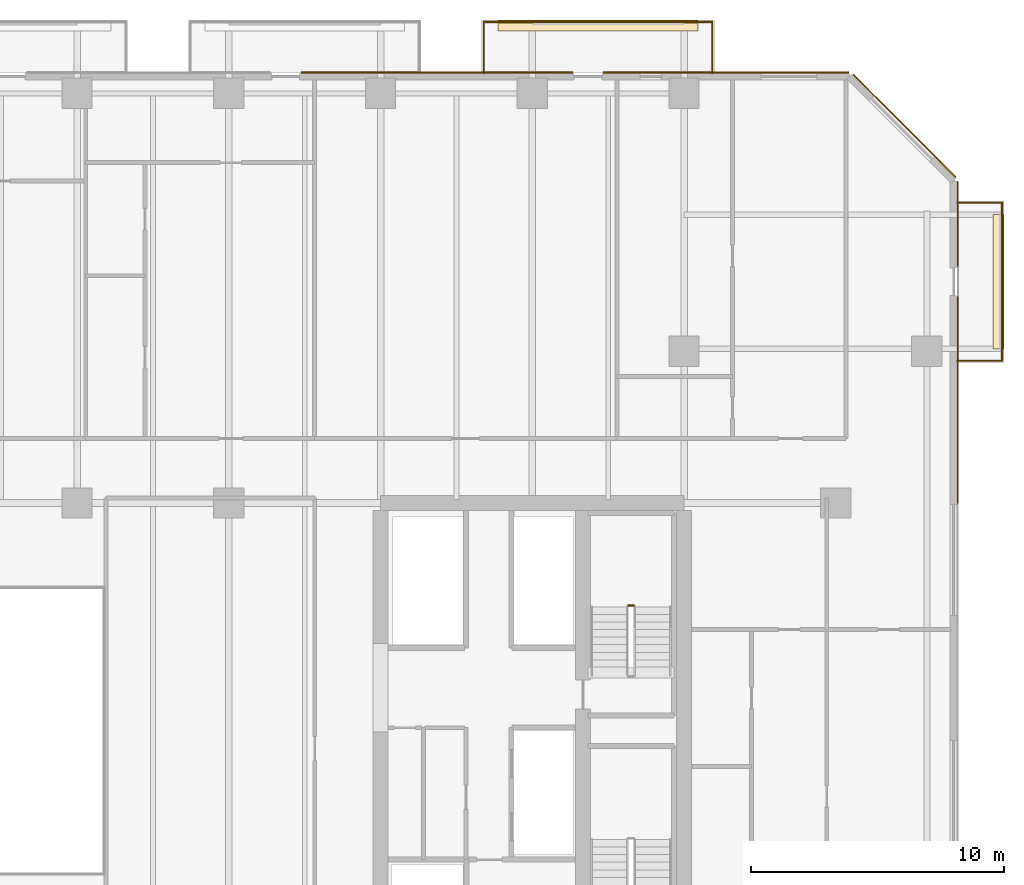
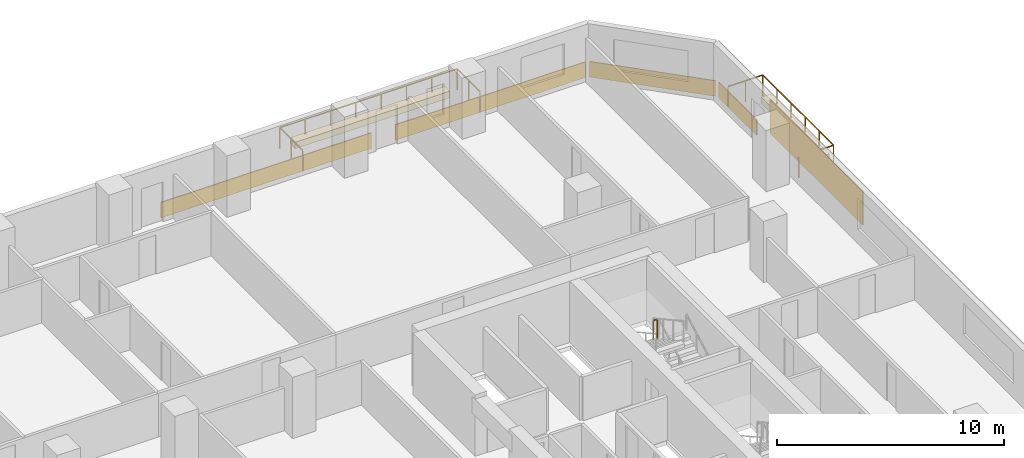
# One storey, part 26 of 26: 7 coverings, 3 railings.
"""IFC4 building model written with IfcOpenShell, lengths in metres."""

import ifcopenshell
import ifcopenshell.guid

model = None  # the IFC model being written
_history = None  # IfcOwnerHistory: only IFC2X3 demands one
_inside = {}  # id of a spatial element -> (the spatial element, [elements in it])
_under = {}  # id of a project, library or spatial element -> (it, [spatial elements below it])
_declared = {}  # id of a project -> (the project, [libraries it declares])
_typed = {}  # id of a type object -> (the type object, [elements of that type])
_made_of = {}  # id of a material, layer set ... -> (it, [elements and type objects made of it])


def new_model(schema):
    """Start an empty IFC model of exactly this schema.

    Asked for "IFC4X3", IfcOpenShell would pick the latest addendum, in which some entities
    have other attributes; the version numbers below select the first issue.
    IFC2X3 requires an IfcOwnerHistory on every rooted entity: one is made here for all.
    """
    global model, _history
    if schema == "IFC4X3":
        model = ifcopenshell.file(schema_version=(4, 3, 0, 0))
    else:
        model = ifcopenshell.file(schema=schema)
    _inside.clear()
    _under.clear()
    _declared.clear()
    _typed.clear()
    _made_of.clear()
    _history = None
    if model.schema == "IFC2X3":
        org = make("IfcOrganization", Name="unknown")
        user = make(
            "IfcPersonAndOrganization",
            ThePerson=make("IfcPerson", FamilyName="unknown"),
            TheOrganization=org,
        )
        app = make(
            "IfcApplication",
            ApplicationDeveloper=org,
            Version="unknown",
            ApplicationFullName="unknown",
            ApplicationIdentifier="unknown",
        )
        _history = make(
            "IfcOwnerHistory",
            OwningUser=user,
            OwningApplication=app,
            ChangeAction="ADDED",
            CreationDate=0,
        )
    return model


def make(cls, **values):
    """One entity of the class cls with the attributes given. An attribute that is None is left unset."""
    return model.create_entity(
        cls, **{name: value for name, value in values.items() if value is not None}
    )


def rooted(cls, **values):
    """An entity with a GlobalId (a new one), such as an element, a storey or a relation."""
    return make(cls, GlobalId=ifcopenshell.guid.new(), OwnerHistory=_history, **values)


def si_unit(unit_type, name, prefix=None):
    """IfcSIUnit, for example si_unit("LENGTHUNIT", "METRE", prefix="MILLI")."""
    return make("IfcSIUnit", UnitType=unit_type, Prefix=prefix, Name=name)


def assignment(units):
    """IfcUnitAssignment: the units of a project."""
    return None if units is None else make("IfcUnitAssignment", Units=units)


def point(xyz):
    """IfcCartesianPoint."""
    return None if xyz is None else make("IfcCartesianPoint", Coordinates=xyz)


def direction(xyz):
    """IfcDirection."""
    return None if xyz is None else make("IfcDirection", DirectionRatios=xyz)


def frame(location, z_axis=None, x_axis=None):
    """IfcAxis2Placement3D, a coordinate frame: its origin and axes. An axis left out is left unset."""
    return make(
        "IfcAxis2Placement3D",
        Location=point(location),
        Axis=direction(z_axis),
        RefDirection=direction(x_axis),
    )


def frame_2d(location, x_axis=None):
    """IfcAxis2Placement2D, a coordinate frame in the plane: its origin and x axis."""
    return make(
        "IfcAxis2Placement2D", Location=point(location), RefDirection=direction(x_axis)
    )


def origin():
    """The frame at (0, 0, 0) with its axes left unset."""
    return frame((0.0, 0.0, 0.0))


def origin_2d():
    """The frame at (0, 0) in the plane with its x axis left unset."""
    return frame_2d((0.0, 0.0))


def place(relative_to, where):
    """IfcLocalPlacement: puts the frame where relative to a parent placement (None: the world)."""
    return make(
        "IfcLocalPlacement", PlacementRelTo=relative_to, RelativePlacement=where
    )


def context(
    kind, dimensions, precision=None, world=None, true_north=None, identifier=None
):
    """IfcGeometricRepresentationContext, for example the 3D "Model" context."""
    return make(
        "IfcGeometricRepresentationContext",
        ContextIdentifier=identifier,
        ContextType=kind,
        CoordinateSpaceDimension=dimensions,
        Precision=precision,
        WorldCoordinateSystem=world,
        TrueNorth=true_north,
    )


def subcontext(parent, identifier, kind, view, scale=None):
    """IfcGeometricRepresentationSubContext, for example "Body" below "Model"."""
    return make(
        "IfcGeometricRepresentationSubContext",
        ContextIdentifier=identifier,
        ContextType=kind,
        ParentContext=parent,
        TargetScale=scale,
        TargetView=view,
    )


def project(units=None, contexts=None):
    """IfcProject with its units and contexts."""
    return rooted(
        "IfcProject",
        Name="project",
        RepresentationContexts=contexts,
        UnitsInContext=assignment(units),
    )


def spatial(cls, under=None, at=None, **own):
    """A site, building, storey or space (cls), placed at a placement, below another one or the project."""
    s = rooted(cls, ObjectPlacement=at, **own)
    if under is not None:
        _under.setdefault(under.id(), (under, []))[1].append(s)
    return s


def polyline(points):
    """IfcPolyline through the points."""
    return make("IfcPolyline", Points=[point(p) for p in points])


def profile(cls, at=None, kind="AREA", **sizes):
    """A parametric profile (cls). Its sizes go by their IFC names, for example OverallWidth=200.0."""
    return make(cls, ProfileType=kind, Position=at, **sizes)


def rectangle(**sizes):
    """IfcRectangleProfileDef."""
    return profile("IfcRectangleProfileDef", **sizes)


def outline(outer, holes=None, kind="AREA"):
    """IfcArbitraryClosedProfileDef: a profile drawn as a closed curve; with holes, ...WithVoids."""
    if holes is None:
        return make("IfcArbitraryClosedProfileDef", ProfileType=kind, OuterCurve=outer)
    return make(
        "IfcArbitraryProfileDefWithVoids",
        ProfileType=kind,
        OuterCurve=outer,
        InnerCurves=holes,
    )


def extrude(swept, where, along, depth):
    """IfcExtrudedAreaSolid: the profile swept, set in the frame where, extruded along a direction by depth."""
    return make(
        "IfcExtrudedAreaSolid",
        SweptArea=swept,
        Position=where,
        ExtrudedDirection=direction(along),
        Depth=depth,
    )


def shape(context_of_items, identifier, shape_type, items):
    """IfcShapeRepresentation: the items that make up one representation, for example the "Body"."""
    return make(
        "IfcShapeRepresentation",
        ContextOfItems=context_of_items,
        RepresentationIdentifier=identifier,
        RepresentationType=shape_type,
        Items=items,
    )


def material(Name=None, Category=None):
    """IfcMaterial."""
    return make("IfcMaterial", Name=Name, Category=Category)


def layer(
    of_material, thickness, ventilated=None, Name=None, Category=None, Priority=None
):
    """IfcMaterialLayer: one layer of a wall or slab, of a material (None: an air gap)."""
    return make(
        "IfcMaterialLayer",
        Material=of_material,
        LayerThickness=thickness,
        IsVentilated=ventilated,
        Name=Name,
        Category=Category,
        Priority=Priority,
    )


def layer_set(layers, Name=None):
    """IfcMaterialLayerSet."""
    return make("IfcMaterialLayerSet", MaterialLayers=layers, LayerSetName=Name)


def made_of(thing, what):
    """Note that an element or type object is made of a material, layer set ...; save() writes the relation."""
    if what is not None:
        _made_of.setdefault(what.id(), (what, []))[1].append(thing)
    return thing


def type_object(cls, material=None, **own):
    """A type object (cls), such as IfcWallType, which elements share."""
    return made_of(rooted(cls, **own), material)


def element(
    cls,
    number,
    at=None,
    inside=None,
    cuts=None,
    type_object=None,
    material=None,
    context=None,
    identifier="Body",
    shape_type=None,
    held_by="IfcProductDefinitionShape",
    body=None,
    shapes=None,
    **own,
):
    """One element of the class cls, such as IfcWall. Its Tag is "e" and its number.

    at: its placement. inside: the storey or other place that contains it. cuts: it is an
    opening in that element (IfcRelVoidsElement). A single representation is given by context,
    identifier, shape_type and body (its items); several are given by shapes. held_by: the class
    of the entity that holds the representations. save() writes the other relations.
    """
    e = rooted(cls, Tag="e%d" % number, ObjectPlacement=at, **own)
    if body is not None:
        shapes = [shape(context, identifier, shape_type, body)]
    if shapes is not None:
        e.Representation = make(held_by, Representations=shapes)
    if inside is not None:
        _inside.setdefault(inside.id(), (inside, []))[1].append(e)
    if cuts is not None:
        rooted(
            "IfcRelVoidsElement", RelatingBuildingElement=cuts, RelatedOpeningElement=e
        )
    if type_object is not None:
        _typed.setdefault(type_object.id(), (type_object, []))[1].append(e)
    return made_of(e, material)


def aggregate(whole, parts):
    """IfcRelAggregates: a whole, such as a stair, and the parts it consists of."""
    return rooted("IfcRelAggregates", RelatingObject=whole, RelatedObjects=parts)


def save(model, path):
    """Write the relations noted so far, then the file.

    IfcRelAggregates (storeys below a building ...), IfcRelContainedInSpatialStructure (elements
    in a storey), IfcRelDefinesByType, IfcRelAssociatesMaterial and IfcRelDeclares: one each for
    every whole, place, type object, material and project.
    """
    for whole, parts in _under.values():
        aggregate(whole, parts)
    for where, things in _inside.values():
        rooted(
            "IfcRelContainedInSpatialStructure",
            RelatedElements=things,
            RelatingStructure=where,
        )
    for kind, things in _typed.values():
        rooted("IfcRelDefinesByType", RelatedObjects=things, RelatingType=kind)
    for what, things in _made_of.values():
        rooted("IfcRelAssociatesMaterial", RelatedObjects=things, RelatingMaterial=what)
    for by, libraries in _declared.values():
        rooted("IfcRelDeclares", RelatingContext=by, RelatedDefinitions=libraries)
    model.write(path)


model = new_model("IFC4")

# Units and contexts
model_context = context("Model", 3, precision=1e-05, world=origin(), true_north=direction((0.0, 1.0)))
body_context = subcontext(model_context, "Body", "Model", "MODEL_VIEW")
ifc_project = project(units=[si_unit("LENGTHUNIT", "METRE"), si_unit("AREAUNIT", "SQUARE_METRE"), si_unit("VOLUMEUNIT", "CUBIC_METRE"), si_unit("PLANEANGLEUNIT", "RADIAN"), si_unit("MASSUNIT", "GRAM", prefix="KILO")], contexts=[model_context])

# Site, building, storey
site_placement = place(None, origin())
site = spatial("IfcSite", under=ifc_project, at=site_placement, CompositionType="ELEMENT")
building_placement = place(site_placement, origin())
building = spatial("IfcBuilding", under=site, at=building_placement, Name="Tanjung Sevakor Pilgrim Tower", CompositionType="ELEMENT")
storey_placement = place(building_placement, frame((0.0, 0.0, 45.5400390625)))
storey = spatial("IfcBuildingStorey", under=building, at=storey_placement, Name="L12", CompositionType="ELEMENT", Elevation=45.5400390625)

# Coverings
ifc_material_1 = material(Name="Reconstructed Limestone Cladding", Category="masonry")
ifc_layer_1 = layer(ifc_material_1, 0.044921875)
ifc_layer_set_1 = layer_set([ifc_layer_1], Name="COV-CLAD-LIMESTONE")
covering_type_1 = type_object("IfcCoveringType", Name="COV-CLAD-LIMESTONE", PredefinedType="CLADDING", material=ifc_layer_set_1)
covering_1_placement = place(storey_placement, frame((100.822509765625, 53.631103515625, 0.009765625), z_axis=(0.0, 0.0, 1.0), x_axis=(0.0, 1.0, 0.0)))
element("IfcCovering", 1, at=covering_1_placement, inside=storey, type_object=covering_type_1, Name="L12 Warm Limestone Sill Spandrel EW-L12-MAIN-7-3", PredefinedType="CLADDING", context=body_context, shape_type="SweptSolid", body=[
    extrude(rectangle(XDim=3.342041015625, YDim=0.044921875, at=origin_2d()), origin(), (0.0, 0.0, 1.0), 0.840087890625),
])
covering_2_placement = place(storey_placement, frame((100.822509765625, 46.675048828125, 0.849853515625), z_axis=(0.0, 0.0, 1.0), x_axis=(0.0, 1.0, 0.0)))
element("IfcCovering", 2, at=covering_2_placement, inside=storey, type_object=covering_type_1, Name="L12 Warm Limestone Pier Panel EW-L12-MAIN-7-3", PredefinedType="CLADDING", context=body_context, shape_type="SweptSolid", body=[
    extrude(rectangle(XDim=8.14990234375, YDim=0.044921875, at=origin_2d()), origin(), (0.0, 0.0, 1.0), 1.81005859375),
])
covering_3_placement = place(storey_placement, frame((98.7158203125, 57.515869140625, 0.009765625), z_axis=(0.0, 0.0, 1.0), x_axis=(-0.707106781187, 0.707106781187, 0.0)))
element("IfcCovering", 3, at=covering_3_placement, inside=storey, type_object=covering_type_1, Name="L12 Warm Limestone Sill Spandrel EW-CHM-L12-MAIN-7-1", PredefinedType="CLADDING", context=body_context, shape_type="SweptSolid", body=[
    extrude(rectangle(XDim=5.74365234375, YDim=0.044921875, at=origin_2d()), origin(), (0.0, 0.0, 1.0), 0.840087890625),
])
covering_4_placement = place(storey_placement, frame((91.656005859375, 59.62255859375, 0.009765625), z_axis=(0.0, 0.0, 1.0), x_axis=(-1.0, 0.0, 0.0)))
element("IfcCovering", 4, at=covering_4_placement, inside=storey, type_object=covering_type_1, Name="L12 Warm Limestone Sill Spandrel EW-L12-MAIN-9-1", PredefinedType="CLADDING", context=body_context, shape_type="SweptSolid", body=[
    extrude(rectangle(XDim=9.69189453125, YDim=0.044921875, at=origin_2d()), origin(), (0.0, 0.0, 1.0), 0.840087890625),
])
covering_5_placement = place(storey_placement, frame((80.22509765625, 59.62255859375, 0.009765625), z_axis=(0.0, 0.0, 1.0), x_axis=(-1.0, 0.0, 0.0)))
element("IfcCovering", 5, at=covering_5_placement, inside=storey, type_object=covering_type_1, Name="L12 Warm Limestone Sill Spandrel EW-L12-MAIN-9-2", PredefinedType="CLADDING", context=body_context, shape_type="SweptSolid", body=[
    extrude(rectangle(XDim=10.72998046875, YDim=0.044921875, at=origin_2d()), origin(), (0.0, 0.0, 1.0), 0.840087890625),
])
ifc_material_2 = material(Name="Vegetated Modular Planter Assembly", Category="organic")
ifc_layer_2 = layer(ifc_material_2, 0.35009765625)
ifc_layer_set_2 = layer_set([ifc_layer_2], Name="COV-GRN-TROUGH")
covering_type_2 = type_object("IfcCoveringType", Name="COV-GRN-TROUGH", PredefinedType="CLADDING", material=ifc_layer_set_2)
covering_6_placement = place(storey_placement, origin())
element("IfcCovering", 6, at=covering_6_placement, inside=storey, type_object=covering_type_2, Name="L12 Planted Landscape Hedge Trough BGRN-L12-MAIN-N4", PredefinedType="CLADDING", context=body_context, shape_type="SweptSolid", body=[
    extrude(outline(polyline([(82.64990234375, 61.260009765625), (90.550048828125, 61.260009765625), (90.550048828125, 61.699951171875), (82.64990234375, 61.699951171875), (82.64990234375, 61.260009765625)])), origin(), (0.0, 0.0, 1.0), 0.349853515625),
])
covering_7_placement = place(storey_placement, origin())
element("IfcCovering", 7, at=covering_7_placement, inside=storey, type_object=covering_type_2, Name="L12 Planted Landscape Hedge Trough BGRN-L12-MAIN-E2", PredefinedType="CLADDING", context=body_context, shape_type="SweptSolid", body=[
    extrude(outline(polyline([(102.64990234375, 48.699951171875), (102.64990234375, 54.0), (102.2099609375, 54.0), (102.2099609375, 48.699951171875), (102.64990234375, 48.699951171875)])), origin(), (0.0, 0.0, 1.0), 0.349853515625),
])

# Railings
ifc_material_3 = material(Name="Laminated Glass and Aluminium", Category="aluminium")
railing_type_1 = type_object("IfcRailingType", Name="RL-BAL-BALUST", PredefinedType="BALUSTRADE", material=ifc_material_3)
railing_1_placement = place(storey_placement, frame((82.080078125, 59.60009765625, 0.0)))
element("IfcRailing", 8, at=railing_1_placement, inside=storey, type_object=railing_type_1, Name="L12 Loggia Balustrade MAIN-N4", PredefinedType="BALUSTRADE", context=body_context, shape_type="SweptSolid", body=[
    extrude(rectangle(XDim=0.0479, YDim=0.0479), frame((0.0, 0.0, 1.1259765625), z_axis=(0.0, 1.0, 0.0), x_axis=(-1.0, 0.0, 0.0)), (0.0, 0.0, 1.0), 2.02001953125),
    extrude(rectangle(XDim=0.0479, YDim=0.0479), frame((0.0, 2.02001953125, 1.1259765625), z_axis=(1.0, 0.0, 0.0), x_axis=(0.0, 1.0, 0.0)), (0.0, 0.0, 1.0), 9.0400390625),
    extrude(rectangle(XDim=0.0479, YDim=0.0479), frame((9.0400390625, 2.02001953125, 1.1259765625), z_axis=(0.0, -1.0, 0.0), x_axis=(1.0, 0.0, 0.0)), (0.0, 0.0, 1.0), 2.02001953125),
    extrude(rectangle(XDim=0.042, YDim=0.042), origin(), (0.0, 0.0, 1.0), 1.101806640625),
    extrude(rectangle(XDim=0.042, YDim=0.042), frame((0.0, 1.010009765625, 0.0)), (0.0, 0.0, 1.0), 1.101806640625),
    extrude(rectangle(XDim=0.042, YDim=0.042), frame((0.0, 2.02001953125, 0.0)), (0.0, 0.0, 1.0), 1.101806640625),
    extrude(rectangle(XDim=0.042, YDim=0.042), frame((1.29150390625, 2.02001953125, 0.0)), (0.0, 0.0, 1.0), 1.101806640625),
    extrude(rectangle(XDim=0.042, YDim=0.042), frame((2.582763671875, 2.02001953125, 0.0)), (0.0, 0.0, 1.0), 1.101806640625),
    extrude(rectangle(XDim=0.042, YDim=0.042), frame((3.874267578125, 2.02001953125, 0.0)), (0.0, 0.0, 1.0), 1.101806640625),
    extrude(rectangle(XDim=0.042, YDim=0.042), frame((5.165771484375, 2.02001953125, 0.0)), (0.0, 0.0, 1.0), 1.101806640625),
    extrude(rectangle(XDim=0.042, YDim=0.042), frame((6.457275390625, 2.02001953125, 0.0)), (0.0, 0.0, 1.0), 1.101806640625),
    extrude(rectangle(XDim=0.042, YDim=0.042), frame((7.74853515625, 2.02001953125, 0.0)), (0.0, 0.0, 1.0), 1.101806640625),
    extrude(rectangle(XDim=0.042, YDim=0.042), frame((9.0400390625, 2.02001953125, 0.0)), (0.0, 0.0, 1.0), 1.101806640625),
    extrude(rectangle(XDim=0.042, YDim=0.042), frame((9.0400390625, 1.010009765625, 0.0)), (0.0, 0.0, 1.0), 1.101806640625),
    extrude(rectangle(XDim=0.042, YDim=0.042), frame((9.0400390625, 0.0, 0.0)), (0.0, 0.0, 1.0), 1.101806640625),
])
railing_2_placement = place(storey_placement, frame((100.800048828125, 48.22998046875, 0.0)))
element("IfcRailing", 9, at=railing_2_placement, inside=storey, type_object=railing_type_1, Name="L12 Loggia Balustrade MAIN-E2", PredefinedType="BALUSTRADE", context=body_context, shape_type="SweptSolid", body=[
    extrude(rectangle(XDim=0.0479, YDim=0.0479), frame((0.0, 0.0, 1.1259765625), z_axis=(1.0, 0.0, 0.0), x_axis=(0.0, 1.0, 0.0)), (0.0, 0.0, 1.0), 1.77001953125),
    extrude(rectangle(XDim=0.0479, YDim=0.0479), frame((1.77001953125, 0.0, 1.1259765625), z_axis=(0.0, 1.0, 0.0), x_axis=(-1.0, 0.0, 0.0)), (0.0, 0.0, 1.0), 6.239990234375),
    extrude(rectangle(XDim=0.0479, YDim=0.0479), frame((1.77001953125, 6.239990234375, 1.1259765625), z_axis=(-1.0, 0.0, 0.0), x_axis=(0.0, -1.0, 0.0)), (0.0, 0.0, 1.0), 1.77001953125),
    extrude(rectangle(XDim=0.042, YDim=0.042), origin(), (0.0, 0.0, 1.0), 1.101806640625),
    extrude(rectangle(XDim=0.042, YDim=0.042), frame((0.885009765625, 0.0, 0.0)), (0.0, 0.0, 1.0), 1.101806640625),
    extrude(rectangle(XDim=0.042, YDim=0.042), frame((1.77001953125, 0.0, 0.0)), (0.0, 0.0, 1.0), 1.101806640625),
    extrude(rectangle(XDim=0.042, YDim=0.042), frame((1.77001953125, 1.248046875, 0.0)), (0.0, 0.0, 1.0), 1.101806640625),
    extrude(rectangle(XDim=0.042, YDim=0.042), frame((1.77001953125, 2.49609375, 0.0)), (0.0, 0.0, 1.0), 1.101806640625),
    extrude(rectangle(XDim=0.042, YDim=0.042), frame((1.77001953125, 3.743896484375, 0.0)), (0.0, 0.0, 1.0), 1.101806640625),
    extrude(rectangle(XDim=0.042, YDim=0.042), frame((1.77001953125, 4.991943359375, 0.0)), (0.0, 0.0, 1.0), 1.101806640625),
    extrude(rectangle(XDim=0.042, YDim=0.042), frame((1.77001953125, 6.239990234375, 0.0)), (0.0, 0.0, 1.0), 1.101806640625),
    extrude(rectangle(XDim=0.042, YDim=0.042), frame((0.885009765625, 6.239990234375, 0.0)), (0.0, 0.0, 1.0), 1.101806640625),
    extrude(rectangle(XDim=0.042, YDim=0.042), frame((0.0, 6.239990234375, 0.0)), (0.0, 0.0, 1.0), 1.101806640625),
])
ifc_material_4 = material(Name="Steel S355J2", Category="steel")
railing_type_2 = type_object("IfcRailingType", Name="RL-STAIR-GUARD", PredefinedType="GUARDRAIL", material=ifc_material_4)
railing_3_placement = place(storey_placement, frame((88.0, 38.550048828125, 1.64990234375)))
element("IfcRailing", 10, at=railing_3_placement, inside=storey, type_object=railing_type_2, Name="L12 TS-E2 stair guard 2", PredefinedType="GUARDRAIL", context=body_context, shape_type="SweptSolid", body=[
    extrude(rectangle(XDim=0.0479, YDim=0.0479), frame((0.0, 0.0, 1.076171875), z_axis=(-1.0, 0.0, 0.0), x_axis=(0.0, -1.0, 0.0)), (0.0, 0.0, 1.0), 0.199951171875),
    extrude(rectangle(XDim=0.042, YDim=0.042), origin(), (0.0, 0.0, 1.0), 1.052001953125),
    extrude(rectangle(XDim=0.042, YDim=0.042), frame((-0.199951171875, 0.0, 0.0)), (0.0, 0.0, 1.0), 1.052001953125),
])

save(model, "model.ifc")
